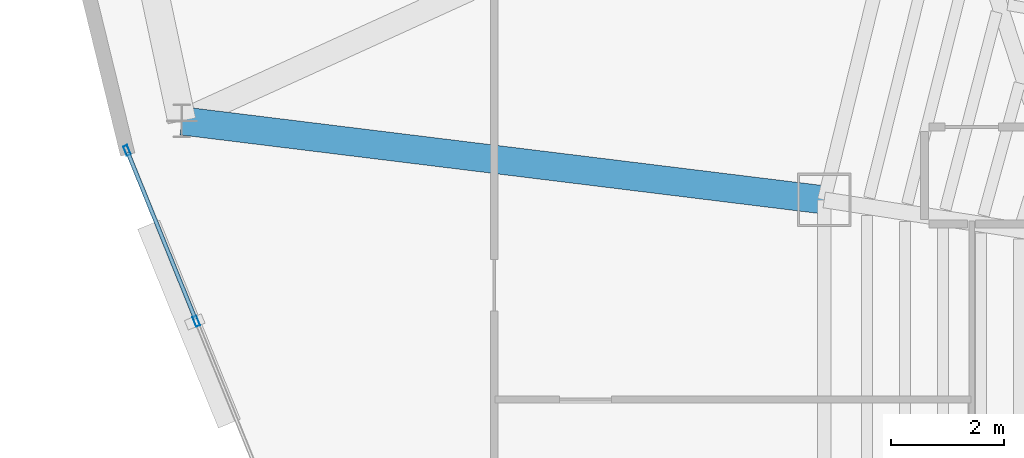
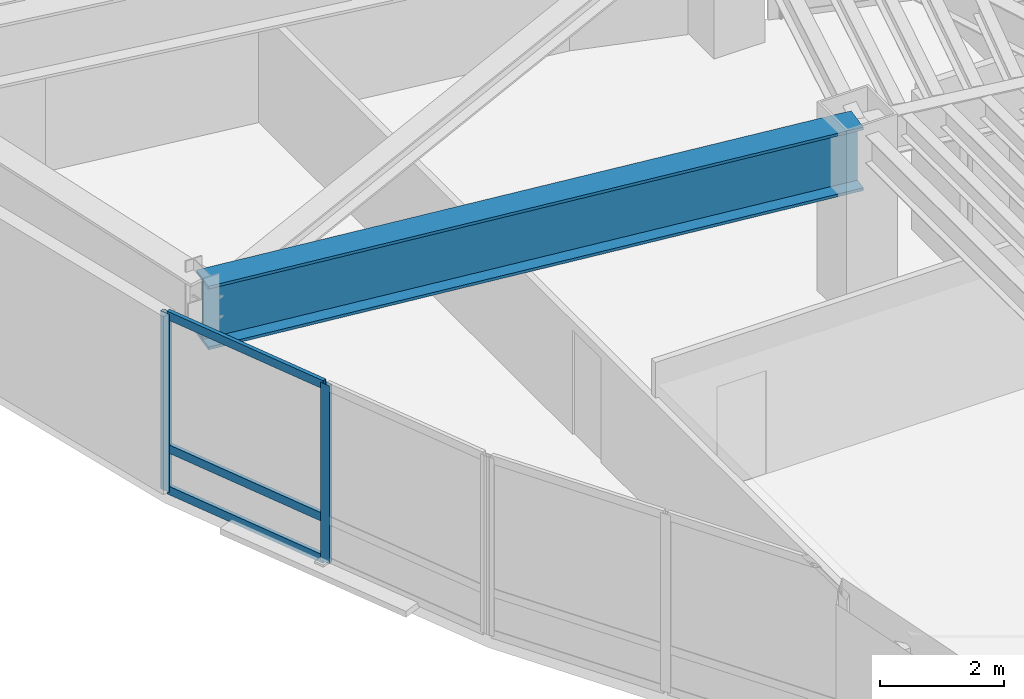
# One storey, part 6 of 16: 5 members, 1 beam, 1 element without a shape of its own.
"""IFC4 building model written with IfcOpenShell, lengths in metres."""

from ifc_helpers import new_model, si_unit, direction, frame, origin, origin_2d, place, context, subcontext, project, spatial, hollow_rectangle, i_section, extrude, material, layer, layer_set, material_profile, profile_set, type_object, element, aggregate, save


model = new_model("IFC4")

# Units and contexts
model_context = context("Model", 3, precision=1e-05, world=origin(), true_north=direction((0.0, 1.0)))
body_context = subcontext(model_context, "Body", "Model", "MODEL_VIEW")
ifc_project = project(units=[si_unit("LENGTHUNIT", "METRE"), si_unit("AREAUNIT", "SQUARE_METRE"), si_unit("VOLUMEUNIT", "CUBIC_METRE"), si_unit("PLANEANGLEUNIT", "RADIAN"), si_unit("MASSUNIT", "GRAM", prefix="KILO")], contexts=[model_context])

# Site, building, storey
site_placement = place(None, origin())
site = spatial("IfcSite", under=ifc_project, at=site_placement, CompositionType="ELEMENT")
building_placement = place(site_placement, origin())
building = spatial("IfcBuilding", under=site, at=building_placement, Name="Menara Vayukalpa", CompositionType="ELEMENT")
storey_placement = place(building_placement, frame((0.0, 0.0, 195.239990234375)))
storey = spatial("IfcBuildingStorey", under=building, at=storey_placement, Name="L49", CompositionType="ELEMENT", Elevation=195.239990234375)

# Beam
ifc_material_1 = material(Name="Steel S460", Category="steel")
ifc_material_profile_1 = material_profile(ifc_material_1, i_section(OverallWidth=0.5, OverallDepth=1.25, WebThickness=0.028076171875, FlangeThickness=0.054931640625, at=origin_2d()), Name="WG 1250x500x28x55")
ifc_profile_set_1 = profile_set([ifc_material_profile_1], Name="Steel S460")
beam_type = type_object("IfcBeamType", Name="BM-TG2", PredefinedType="BEAM", material=ifc_profile_set_1)
beam_placement = place(storey_placement, frame((13.343994140625, 27.4892578125, 2.875), z_axis=(-0.992512957278, 0.122139386091, 0.0), x_axis=(-0.122139386091, -0.992512957278, 0.0)))
element("IfcBeam", 1, at=beam_placement, inside=storey, type_object=beam_type, Name="L49 SB4 Sky Bar Vierendeel Girder 05", PredefinedType="BEAM", context=body_context, shape_type="SweptSolid", body=[
    extrude(i_section(OverallWidth=0.5, OverallDepth=1.25, WebThickness=0.028076171875, FlangeThickness=0.054931640625, at=origin_2d()), origin(), (0.0, 0.0, 1.0), 11.463623046875),
])

# Curtain wall, members
ifc_material_2 = material(Name="Anodised Terracotta Aluminium Alloy 6063-T6", Category="masonry")
ifc_layer = layer(ifc_material_2, 0.179931640625)
ifc_layer_set = layer_set([ifc_layer], Name="Anodised Terracotta Aluminium Alloy 6063-T6")
curtain_wall_type = type_object("IfcCurtainWallType", Name="CW-CW4", PredefinedType="USERDEFINED", material=ifc_layer_set)
curtain_wall_placement = place(storey_placement, origin())
curtain_wall = element("IfcCurtainWall", 2, at=curtain_wall_placement, inside=storey, type_object=curtain_wall_type, Name="L49 Sky Bar Cantilever Glazed Curtain Wall CW4 13", ObjectType="UNITISED", PredefinedType="USERDEFINED")
ifc_material_3 = material(Name="Anodised Terracotta Aluminium Alloy 6063-T6", Category="masonry")
ifc_material_profile_2 = material_profile(ifc_material_3, hollow_rectangle(XDim=0.074951171875, YDim=0.179931640625, WallThickness=0.00390625, at=origin_2d()), Name="ALU 75x180x4")
ifc_profile_set_2 = profile_set([ifc_material_profile_2], Name="Anodised Terracotta Aluminium Alloy 6063-T6")
member_type_1 = type_object("IfcMemberType", Name="CWM-CW4", PredefinedType="MULLION", material=ifc_profile_set_2)
member_1_placement = place(storey_placement, frame((0.9951171875, 28.365966796875, 0.0), z_axis=(0.0, 0.0, 1.0), x_axis=(0.926582183577, 0.376092351793, 0.0)))
member_1 = element("IfcMember", 3, at=member_1_placement, type_object=member_type_1, Name="CW4 mullion 1", PredefinedType="MULLION", context=body_context, shape_type="SweptSolid", body=[
    extrude(hollow_rectangle(XDim=0.074951171875, YDim=0.179931640625, WallThickness=0.00390625, at=origin_2d()), origin(), (0.0, 0.0, 1.0), 3.5),
])
member_2_placement = place(storey_placement, frame((2.222900390625, 25.340576171875, 0.0), z_axis=(0.0, 0.0, 1.0), x_axis=(0.926582183577, 0.376092351793, 0.0)))
member_2 = element("IfcMember", 4, at=member_2_placement, type_object=member_type_1, Name="CW4 mullion 2", PredefinedType="MULLION", context=body_context, shape_type="SweptSolid", body=[
    extrude(hollow_rectangle(XDim=0.074951171875, YDim=0.179931640625, WallThickness=0.00390625, at=origin_2d()), origin(), (0.0, 0.0, 1.0), 3.5),
])
ifc_material_4 = material(Name="Anodised Terracotta Aluminium Alloy 6063-T6", Category="masonry")
ifc_material_profile_3 = material_profile(ifc_material_4, hollow_rectangle(XDim=0.070068359375, YDim=0.1650390625, WallThickness=0.00390625, at=origin_2d()), Name="ALU 70x165x4")
ifc_profile_set_3 = profile_set([ifc_material_profile_3], Name="Anodised Terracotta Aluminium Alloy 6063-T6")
member_type_2 = type_object("IfcMemberType", Name="CWT-CW4", PredefinedType="USERDEFINED", material=ifc_profile_set_3)
member_3_placement = place(storey_placement, frame((1.009033203125, 28.331298828125, 0.034912109375), z_axis=(0.376083469559, -0.926585788756, 0.0), x_axis=(0.926585788756, 0.376083469559, 0.0)))
member_3 = element("IfcMember", 5, at=member_3_placement, type_object=member_type_2, Name="CW4 transom 1.1", ObjectType="TRANSOM", PredefinedType="USERDEFINED", context=body_context, shape_type="SweptSolid", body=[
    extrude(hollow_rectangle(XDim=0.070068359375, YDim=0.1650390625, WallThickness=0.00390625, at=origin_2d()), origin(), (0.0, 0.0, 1.0), 3.18994140625),
])
member_4_placement = place(storey_placement, frame((1.009033203125, 28.331298828125, 0.85009765625), z_axis=(0.376083469559, -0.926585788756, 0.0), x_axis=(0.926585788756, 0.376083469559, 0.0)))
member_4 = element("IfcMember", 6, at=member_4_placement, type_object=member_type_2, Name="CW4 transom 1.2", ObjectType="TRANSOM", PredefinedType="USERDEFINED", context=body_context, shape_type="SweptSolid", body=[
    extrude(hollow_rectangle(XDim=0.070068359375, YDim=0.1650390625, WallThickness=0.00390625, at=origin_2d()), origin(), (0.0, 0.0, 1.0), 3.18994140625),
])
member_5_placement = place(storey_placement, frame((1.009033203125, 28.331298828125, 3.465087890625), z_axis=(0.376083469559, -0.926585788756, 0.0), x_axis=(0.926585788756, 0.376083469559, 0.0)))
member_5 = element("IfcMember", 7, at=member_5_placement, type_object=member_type_2, Name="CW4 transom 1.3", ObjectType="TRANSOM", PredefinedType="USERDEFINED", context=body_context, shape_type="SweptSolid", body=[
    extrude(hollow_rectangle(XDim=0.070068359375, YDim=0.1650390625, WallThickness=0.00390625, at=origin_2d()), origin(), (0.0, 0.0, 1.0), 3.18994140625),
])
aggregate(curtain_wall, [member_1, member_2, member_3, member_4, member_5])

save(model, "model.ifc")
